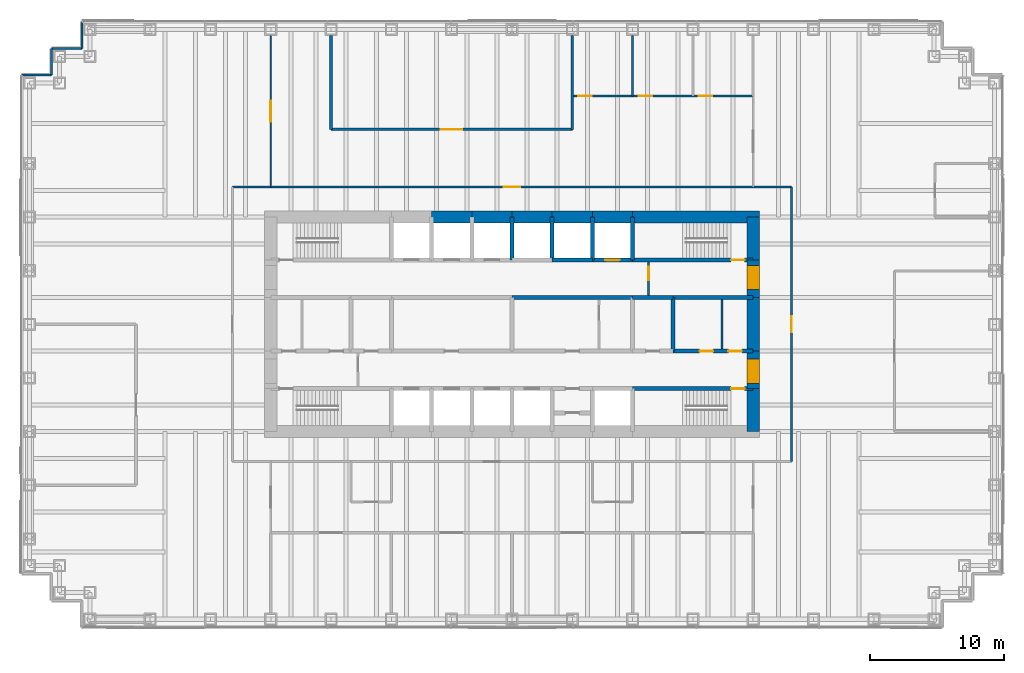
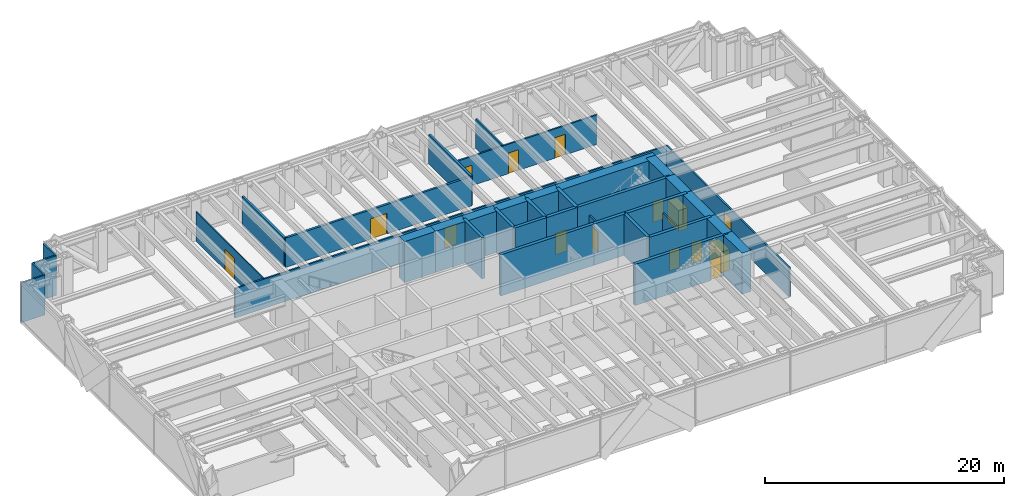
# One storey, part 13 of 15: 38 walls, 15 doors, 15 openings.
"""IFC4 building model written with IfcOpenShell, lengths in metres."""

from ifc_helpers import new_model, si_unit, direction, frame, frame_2d, origin, place, context, subcontext, project, spatial, rectangle, extrude, material, layer, layer_set, type_object, element, fill, save


model = new_model("IFC4")

# Units and contexts
model_context = context("Model", 3, precision=1e-05, world=origin(), true_north=direction((0.0, 1.0)))
body_context = subcontext(model_context, "Body", "Model", "MODEL_VIEW")
ifc_project = project(units=[si_unit("LENGTHUNIT", "METRE"), si_unit("AREAUNIT", "SQUARE_METRE"), si_unit("VOLUMEUNIT", "CUBIC_METRE"), si_unit("PLANEANGLEUNIT", "RADIAN"), si_unit("MASSUNIT", "GRAM", prefix="KILO")], contexts=[model_context])

# Site, building, storey
site_placement = place(None, origin())
site = spatial("IfcSite", under=ifc_project, at=site_placement, CompositionType="ELEMENT")
building_placement = place(site_placement, origin())
building = spatial("IfcBuilding", under=site, at=building_placement, Name="Rheinbord Bourse Tower", CompositionType="ELEMENT")
storey_placement = place(building_placement, frame((0.0, 0.0, 150.89990234375)))
storey = spatial("IfcBuildingStorey", under=building, at=storey_placement, Name="L33", CompositionType="ELEMENT", Elevation=150.89990234375)

# Wall, opening, door
ifc_material_1 = material(Name="Acoustic gypsum board partition", Category="gypsum board")
ifc_layer_1 = layer(ifc_material_1, 0.199951171875)
ifc_layer_set_1 = layer_set([ifc_layer_1], Name="ACOUSTIC PARTITION 200")
wall_type_1 = type_object("IfcWallType", Name="ACOUSTIC PARTITION 200", PredefinedType="PARTITIONING", material=ifc_layer_set_1)
wall_1_placement = place(storey_placement, frame((22.5, 38.550048828125, 0.0), z_axis=(0.0, 0.0, 1.0), x_axis=(1.0, 0.0, 0.0)))
wall_1 = element("IfcWall", 1, at=wall_1_placement, inside=storey, type_object=wall_type_1, Name="Partition L33-12", PredefinedType="PARTITIONING", context=body_context, shape_type="SweptSolid", body=[
    extrude(rectangle(XDim=18.0, YDim=0.199951171875, at=frame_2d((9.0, 0.0))), origin(), (0.0, 0.0, 1.0), 3.0),
])
opening_1_placement = place(wall_1_placement, frame((8.199951171875, 0.0, 0.0)))
opening_1 = element("IfcOpeningElement", 2, at=opening_1_placement, cuts=wall_1, Name="Opening 33D10", PredefinedType="OPENING", context=body_context, shape_type="SweptSolid", body=[
    extrude(rectangle(XDim=1.60009765625, YDim=2.10009765625, at=frame_2d((0.800048828125, 1.050048828125))), frame((0.0, 0.10986328125, 0.0), z_axis=(0.0, -1.0, 0.0), x_axis=(1.0, 0.0, 0.0)), (0.0, 0.0, 1.0), 0.219970703125),
])
ifc_material_2 = material(Name="Timber door", Category="wood")
door_type_1 = type_object("IfcDoorType", Name="DOUBLE ROOM DOOR 1600", OperationType="DOUBLE_DOOR_DOUBLE_SWING", PredefinedType="DOOR", material=ifc_material_2)
door_1_placement = place(opening_1_placement, origin())
door_1 = element("IfcDoor", 3, at=door_1_placement, inside=storey, type_object=door_type_1, Name="Trading simulation room door L33", OperationType="SINGLE_SWING_LEFT", OverallHeight=2.10009765625, OverallWidth=1.60009765625, PredefinedType="DOOR", context=body_context, shape_type="SweptSolid", body=[
    extrude(rectangle(XDim=1.60009765625, YDim=2.10009765625, at=frame_2d((0.800048828125, 1.050048828125))), frame((0.0, 0.02490234375, 0.0), z_axis=(0.0, -1.0, 0.0), x_axis=(1.0, 0.0, 0.0)), (0.0, 0.0, 1.0), 0.050048828125),
])
fill(opening_1, door_1)

# Walls
for number, where, z_axis, x_axis, name in (
    (4, (22.5, 38.550048828125, 0.0), (0.0, 0.0, 1.0), (0.0, 1.0, 0.0), "Partition L33-19"),
    (5, (40.5, 38.550048828125, 0.0), (0.0, 0.0, 1.0), (0.0, 1.0, 0.0), "Partition L33-24"),
):
    element("IfcWall", number, at=place(storey_placement, frame(where, z_axis=z_axis, x_axis=x_axis)), inside=storey, type_object=wall_type_1, Name=name, PredefinedType="PARTITIONING", context=body_context, shape_type="SweptSolid", body=[
        extrude(rectangle(XDim=7.0, YDim=0.199951171875, at=frame_2d((3.5, 0.0))), origin(), (0.0, 0.0, 1.0), 3.0),
    ])

# Wall, opening, door
ifc_material_3 = material(Name="Concrete C50/60", Category="concrete")
ifc_layer_2 = layer(ifc_material_3, 0.300048828125)
ifc_layer_set_2 = layer_set([ifc_layer_2], Name="CORE INNER WALL 300")
wall_type_2 = type_object("IfcWallType", Name="CORE INNER WALL 300", PredefinedType="SOLIDWALL", material=ifc_layer_set_2)
wall_2_placement = place(storey_placement, frame((45.0, 19.199951171875, 0.0), z_axis=(0.0, 0.0, 1.0), x_axis=(1.0, 0.0, 0.0)))
wall_2 = element("IfcWall", 6, at=wall_2_placement, inside=storey, type_object=wall_type_2, Name="Core wall A8 L33", PredefinedType="SOLIDWALL", context=body_context, shape_type="SweptSolid", body=[
    extrude(rectangle(XDim=9.0, YDim=0.300048828125, at=frame_2d((4.5, 0.0))), origin(), (0.0, 0.0, 1.0), 4.2001953125),
])
opening_2_placement = place(wall_2_placement, frame((7.35009765625, 0.0, 0.0)))
opening_2 = element("IfcOpeningElement", 7, at=opening_2_placement, cuts=wall_2, Name="Opening 3330", PredefinedType="OPENING", context=body_context, shape_type="SweptSolid", body=[
    extrude(rectangle(XDim=1.0, YDim=2.10009765625, at=frame_2d((0.5, 1.050048828125))), frame((0.0, 0.159912109375, 0.0), z_axis=(0.0, -1.0, 0.0), x_axis=(1.0, 0.0, 0.0)), (0.0, 0.0, 1.0), 0.320068359375),
])
ifc_material_4 = material(Name="Steel door", Category="steel")
door_type_2 = type_object("IfcDoorType", Name="DOOR 1000 EI30", OperationType="SINGLE_SWING_LEFT", PredefinedType="DOOR", material=ifc_material_4)
door_2_placement = place(opening_2_placement, origin())
door_2 = element("IfcDoor", 8, at=door_2_placement, inside=storey, type_object=door_type_2, Name="Stair door ST3 L33", OperationType="SINGLE_SWING_RIGHT", OverallHeight=2.10009765625, OverallWidth=1.0, PredefinedType="DOOR", context=body_context, shape_type="SweptSolid", body=[
    extrude(rectangle(XDim=1.0, YDim=2.10009765625, at=frame_2d((0.5, 1.050048828125))), frame((0.0, 0.02490234375, 0.0), z_axis=(0.0, -1.0, 0.0), x_axis=(1.0, 0.0, 0.0)), (0.0, 0.0, 1.0), 0.050048828125),
])
fill(opening_2, door_2)

# Wall
wall_3_placement = place(storey_placement, frame((39.0, 28.800048828125, 0.0), z_axis=(0.0, 0.0, 1.0), x_axis=(1.0, 0.0, 0.0)))
element("IfcWall", 9, at=wall_3_placement, inside=storey, type_object=wall_type_2, Name="Core wall B6 L33", PredefinedType="SOLIDWALL", context=body_context, shape_type="SweptSolid", body=[
    extrude(rectangle(XDim=3.0, YDim=0.300048828125, at=frame_2d((1.5, 0.0))), origin(), (0.0, 0.0, 1.0), 4.2001953125),
])

# Wall, opening, door
wall_4_placement = place(storey_placement, frame((42.0, 28.800048828125, 0.0), z_axis=(0.0, 0.0, 1.0), x_axis=(1.0, 0.0, 0.0)))
wall_4 = element("IfcWall", 10, at=wall_4_placement, inside=storey, type_object=wall_type_2, Name="Core wall B7 L33", PredefinedType="SOLIDWALL", context=body_context, shape_type="SweptSolid", body=[
    extrude(rectangle(XDim=3.0, YDim=0.300048828125, at=frame_2d((1.5, 0.0))), origin(), (0.0, 0.0, 1.0), 4.2001953125),
])
opening_3_placement = place(wall_4_placement, frame((0.949951171875, 0.0, 0.0)))
opening_3 = element("IfcOpeningElement", 11, at=opening_3_placement, cuts=wall_4, Name="Opening FL2", PredefinedType="OPENING", context=body_context, shape_type="SweptSolid", body=[
    extrude(rectangle(XDim=1.10009765625, YDim=2.199951171875, at=frame_2d((0.550048828125, 1.10009765625))), frame((0.0, 0.159912109375, 0.0), z_axis=(0.0, -1.0, 0.0), x_axis=(1.0, 0.0, 0.0)), (0.0, 0.0, 1.0), 0.320068359375),
])
ifc_material_5 = material(Name="Steel landing door", Category="steel")
door_type_3 = type_object("IfcDoorType", Name="LIFT LANDING DOOR 1100", OperationType="DOUBLE_DOOR_SLIDING", PredefinedType="USERDEFINED", material=ifc_material_5)
door_3_placement = place(opening_3_placement, origin())
door_3 = element("IfcDoor", 12, at=door_3_placement, inside=storey, type_object=door_type_3, Name="Lift landing door FL2 L33", ObjectType="LIFT LANDING DOOR", OperationType="DOUBLE_DOOR_SLIDING", OverallHeight=2.199951171875, OverallWidth=1.10009765625, PredefinedType="USERDEFINED", context=body_context, shape_type="SweptSolid", body=[
    extrude(rectangle(XDim=1.10009765625, YDim=2.199951171875, at=frame_2d((0.550048828125, 1.10009765625))), frame((0.0, 0.02490234375, 0.0), z_axis=(0.0, -1.0, 0.0), x_axis=(1.0, 0.0, 0.0)), (0.0, 0.0, 1.0), 0.050048828125),
])
fill(opening_3, door_3)

wall_5_placement = place(storey_placement, frame((45.0, 28.800048828125, 0.0), z_axis=(0.0, 0.0, 1.0), x_axis=(1.0, 0.0, 0.0)))
wall_5 = element("IfcWall", 13, at=wall_5_placement, inside=storey, type_object=wall_type_2, Name="Core wall B8 L33", PredefinedType="SOLIDWALL", context=body_context, shape_type="SweptSolid", body=[
    extrude(rectangle(XDim=9.0, YDim=0.300048828125, at=frame_2d((4.5, 0.0))), origin(), (0.0, 0.0, 1.0), 4.2001953125),
])
opening_4_placement = place(wall_5_placement, frame((7.35009765625, 0.0, 0.0)))
opening_4 = element("IfcOpeningElement", 14, at=opening_4_placement, cuts=wall_5, Name="Opening 3340", PredefinedType="OPENING", context=body_context, shape_type="SweptSolid", body=[
    extrude(rectangle(XDim=1.0, YDim=2.10009765625, at=frame_2d((0.5, 1.050048828125))), frame((0.0, 0.159912109375, 0.0), z_axis=(0.0, -1.0, 0.0), x_axis=(1.0, 0.0, 0.0)), (0.0, 0.0, 1.0), 0.320068359375),
])
door_4_placement = place(opening_4_placement, origin())
door_4 = element("IfcDoor", 15, at=door_4_placement, inside=storey, type_object=door_type_2, Name="Stair door ST4 L33", OperationType="SINGLE_SWING_RIGHT", OverallHeight=2.10009765625, OverallWidth=1.0, PredefinedType="DOOR", context=body_context, shape_type="SweptSolid", body=[
    extrude(rectangle(XDim=1.0, YDim=2.10009765625, at=frame_2d((0.5, 1.050048828125))), frame((0.0, 0.02490234375, 0.0), z_axis=(0.0, -1.0, 0.0), x_axis=(1.0, 0.0, 0.0)), (0.0, 0.0, 1.0), 0.050048828125),
])
fill(opening_4, door_4)

# Wall, openings, doors
wall_6_placement = place(storey_placement, frame((48.0, 22.0, 0.0), z_axis=(0.0, 0.0, 1.0), x_axis=(1.0, 0.0, 0.0)))
wall_6 = element("IfcWall", 16, at=wall_6_placement, inside=storey, type_object=wall_type_2, Name="Core wall C6 L33", PredefinedType="SOLIDWALL", context=body_context, shape_type="SweptSolid", body=[
    extrude(rectangle(XDim=6.0, YDim=0.300048828125, at=frame_2d((3.0, 0.0))), origin(), (0.0, 0.0, 1.0), 4.2001953125),
])
opening_5_placement = place(wall_6_placement, frame((2.0, 0.0, 0.0)))
opening_5 = element("IfcOpeningElement", 17, at=opening_5_placement, cuts=wall_6, Name="Opening 33R6", PredefinedType="OPENING", context=body_context, shape_type="SweptSolid", body=[
    extrude(rectangle(XDim=1.0, YDim=2.10009765625, at=frame_2d((0.5, 1.050048828125))), frame((0.0, 0.159912109375, 0.0), z_axis=(0.0, -1.0, 0.0), x_axis=(1.0, 0.0, 0.0)), (0.0, 0.0, 1.0), 0.320068359375),
])
opening_6_placement = place(wall_6_placement, frame((4.14990234375, 0.0, 0.0)))
opening_6 = element("IfcOpeningElement", 18, at=opening_6_placement, cuts=wall_6, Name="Opening 33R10", PredefinedType="OPENING", context=body_context, shape_type="SweptSolid", body=[
    extrude(rectangle(XDim=1.0, YDim=2.10009765625, at=frame_2d((0.5, 1.050048828125))), frame((0.0, 0.159912109375, 0.0), z_axis=(0.0, -1.0, 0.0), x_axis=(1.0, 0.0, 0.0)), (0.0, 0.0, 1.0), 0.320068359375),
])
door_5_placement = place(opening_6_placement, origin())
door_5 = element("IfcDoor", 19, at=door_5_placement, inside=storey, type_object=door_type_2, Name="Baby change door L33", OperationType="SINGLE_SWING_RIGHT", OverallHeight=2.10009765625, OverallWidth=1.0, PredefinedType="DOOR", context=body_context, shape_type="SweptSolid", body=[
    extrude(rectangle(XDim=1.0, YDim=2.10009765625, at=frame_2d((0.5, 1.050048828125))), frame((0.0, 0.02490234375, 0.0), z_axis=(0.0, -1.0, 0.0), x_axis=(1.0, 0.0, 0.0)), (0.0, 0.0, 1.0), 0.050048828125),
])
fill(opening_6, door_5)
ifc_material_6 = material(Name="Timber door", Category="wood")
door_type_4 = type_object("IfcDoorType", Name="DOOR 1000 WC", OperationType="SINGLE_SWING_LEFT", PredefinedType="DOOR", material=ifc_material_6)
door_6_placement = place(opening_5_placement, origin())
door_6 = element("IfcDoor", 20, at=door_6_placement, inside=storey, type_object=door_type_4, Name="WC women door L33", OperationType="SINGLE_SWING_LEFT", OverallHeight=2.10009765625, OverallWidth=1.0, PredefinedType="DOOR", context=body_context, shape_type="SweptSolid", body=[
    extrude(rectangle(XDim=1.0, YDim=2.10009765625, at=frame_2d((0.5, 1.050048828125))), frame((0.0, 0.02490234375, 0.0), z_axis=(0.0, -1.0, 0.0), x_axis=(1.0, 0.0, 0.0)), (0.0, 0.0, 1.0), 0.050048828125),
])
fill(opening_5, door_6)

# Walls
wall_7_placement = place(storey_placement, frame((36.0, 26.0, 0.0), z_axis=(0.0, 0.0, 1.0), x_axis=(1.0, 0.0, 0.0)))
element("IfcWall", 21, at=wall_7_placement, inside=storey, type_object=wall_type_2, Name="Core wall D4 L33", PredefinedType="SOLIDWALL", context=body_context, shape_type="SweptSolid", body=[
    extrude(rectangle(XDim=9.0, YDim=0.300048828125, at=frame_2d((4.5, 0.0))), origin(), (0.0, 0.0, 1.0), 4.2001953125),
])
wall_8_placement = place(storey_placement, frame((45.0, 26.0, 0.0), z_axis=(0.0, 0.0, 1.0), x_axis=(1.0, 0.0, 0.0)))
element("IfcWall", 22, at=wall_8_placement, inside=storey, type_object=wall_type_2, Name="Core wall D5 L33", PredefinedType="SOLIDWALL", context=body_context, shape_type="SweptSolid", body=[
    extrude(rectangle(XDim=3.0, YDim=0.300048828125, at=frame_2d((1.5, 0.0))), origin(), (0.0, 0.0, 1.0), 4.2001953125),
])
wall_9_placement = place(storey_placement, frame((48.0, 26.0, 0.0), z_axis=(0.0, 0.0, 1.0), x_axis=(1.0, 0.0, 0.0)))
element("IfcWall", 23, at=wall_9_placement, inside=storey, type_object=wall_type_2, Name="Core wall D6 L33", PredefinedType="SOLIDWALL", context=body_context, shape_type="SweptSolid", body=[
    extrude(rectangle(XDim=6.0, YDim=0.300048828125, at=frame_2d((3.0, 0.0))), origin(), (0.0, 0.0, 1.0), 4.2001953125),
])
for number, where, z_axis, x_axis, name in (
    (24, (36.0, 28.800048828125, 0.0), (0.0, 0.0, 1.0), (0.0, 1.0, 0.0), "Core wall NX36 L33"),
    (25, (39.0, 28.800048828125, 0.0), (0.0, 0.0, 1.0), (0.0, 1.0, 0.0), "Core wall NX39 L33"),
    (26, (42.0, 28.800048828125, 0.0), (0.0, 0.0, 1.0), (0.0, 1.0, 0.0), "Core wall NX42 L33"),
    (27, (45.0, 28.800048828125, 0.0), (0.0, 0.0, 1.0), (0.0, 1.0, 0.0), "Core wall NX45 L33"),
):
    element("IfcWall", number, at=place(storey_placement, frame(where, z_axis=z_axis, x_axis=x_axis)), inside=storey, type_object=wall_type_2, Name=name, PredefinedType="SOLIDWALL", context=body_context, shape_type="SweptSolid", body=[
        extrude(rectangle(XDim=3.199951171875, YDim=0.300048828125, at=frame_2d((1.60009765625, 0.0))), origin(), (0.0, 0.0, 1.0), 4.2001953125),
    ])
wall_10_placement = place(storey_placement, frame((48.0, 22.0, 0.0), z_axis=(0.0, 0.0, 1.0), x_axis=(0.0, 1.0, 0.0)))
element("IfcWall", 28, at=wall_10_placement, inside=storey, type_object=wall_type_2, Name="Core wall MX48 L33", PredefinedType="SOLIDWALL", context=body_context, shape_type="SweptSolid", body=[
    extrude(rectangle(XDim=4.0, YDim=0.300048828125, at=frame_2d((2.0, 0.0))), origin(), (0.0, 0.0, 1.0), 4.2001953125),
])
ifc_material_7 = material(Name="Gypsum board fire partition", Category="gypsum board")
ifc_layer_3 = layer(ifc_material_7, 0.14990234375)
ifc_layer_set_3 = layer_set([ifc_layer_3], Name="CORE PARTITION 150 EI30")
wall_type_3 = type_object("IfcWallType", Name="CORE PARTITION 150 EI30", PredefinedType="PARTITIONING", material=ifc_layer_set_3)
wall_11_placement = place(storey_placement, frame((51.675048828125, 22.14990234375, 0.0), z_axis=(0.0, 0.0, 1.0), x_axis=(0.0, 1.0, 0.0)))
element("IfcWall", 29, at=wall_11_placement, inside=storey, type_object=wall_type_3, Name="Core partition L33-3", PredefinedType="PARTITIONING", context=body_context, shape_type="SweptSolid", body=[
    extrude(rectangle(XDim=3.7001953125, YDim=0.14990234375, at=frame_2d((1.85009765625, 0.0))), origin(), (0.0, 0.0, 1.0), 3.0),
])

# Wall, opening, door
wall_12_placement = place(storey_placement, frame((46.199951171875, 26.14990234375, 0.0), z_axis=(0.0, 0.0, 1.0), x_axis=(0.0, 1.0, 0.0)))
wall_12 = element("IfcWall", 30, at=wall_12_placement, inside=storey, type_object=wall_type_3, Name="Core partition L33-5", PredefinedType="PARTITIONING", context=body_context, shape_type="SweptSolid", body=[
    extrude(rectangle(XDim=2.5, YDim=0.14990234375, at=frame_2d((1.25, 0.0))), origin(), (0.0, 0.0, 1.0), 3.0),
])
opening_7_placement = place(wall_12_placement, frame((1.14990234375, 0.0, 0.0)))
opening_7 = element("IfcOpeningElement", 31, at=opening_7_placement, cuts=wall_12, Name="Opening 33L6", PredefinedType="OPENING", context=body_context, shape_type="SweptSolid", body=[
    extrude(rectangle(XDim=1.0, YDim=2.10009765625, at=frame_2d((0.5, 1.050048828125))), frame((0.0, 0.0849609375, 0.0), z_axis=(0.0, -1.0, 0.0), x_axis=(1.0, 0.0, 0.0)), (0.0, 0.0, 1.0), 0.169921875),
])
door_7_placement = place(opening_7_placement, origin())
door_7 = element("IfcDoor", 32, at=door_7_placement, inside=storey, type_object=door_type_2, Name="Stair lobby door L33", OperationType="SINGLE_SWING_RIGHT", OverallHeight=2.10009765625, OverallWidth=1.0, PredefinedType="DOOR", context=body_context, shape_type="SweptSolid", body=[
    extrude(rectangle(XDim=1.0, YDim=2.10009765625, at=frame_2d((0.5, 1.050048828125))), frame((0.0, 0.02490234375, 0.0), z_axis=(0.0, -1.0, 0.0), x_axis=(1.0, 0.0, 0.0)), (0.0, 0.0, 1.0), 0.050048828125),
])
fill(opening_7, door_7)

# Walls
ifc_material_8 = material(Name="Concrete C50/60", Category="concrete")
ifc_layer_4 = layer(ifc_material_8, 0.89990234375)
ifc_layer_set_4 = layer_set([ifc_layer_4], Name="CORE WALL 900")
wall_type_4 = type_object("IfcWallType", Name="CORE WALL 900", PredefinedType="SHEAR", material=ifc_layer_set_4)
wall_13_placement = place(storey_placement, frame((54.449951171875, 32.0, 0.0), z_axis=(0.0, 0.0, 1.0), x_axis=(-1.0, 0.0, 0.0)))
element("IfcWall", 33, at=wall_13_placement, inside=storey, type_object=wall_type_4, Name="Core wall N1 L33", PredefinedType="SHEAR", context=body_context, shape_type="SweptSolid", body=[
    extrude(rectangle(XDim=9.449951171875, YDim=0.89990234375, at=frame_2d((4.72509765625, 0.0))), origin(), (0.0, 0.0, 1.0), 4.2001953125),
])
for number, where, z_axis, x_axis, name in (
    (34, (45.0, 32.0, 0.0), (0.0, 0.0, 1.0), (-1.0, 0.0, 0.0), "Core wall N2 L33"),
    (35, (42.0, 32.0, 0.0), (0.0, 0.0, 1.0), (-1.0, 0.0, 0.0), "Core wall N3 L33"),
    (36, (39.0, 32.0, 0.0), (0.0, 0.0, 1.0), (-1.0, 0.0, 0.0), "Core wall N4 L33"),
    (37, (36.0, 32.0, 0.0), (0.0, 0.0, 1.0), (-1.0, 0.0, 0.0), "Core wall N5 L33"),
    (38, (33.0, 32.0, 0.0), (0.0, 0.0, 1.0), (-1.0, 0.0, 0.0), "Core wall N6 L33"),
):
    element("IfcWall", number, at=place(storey_placement, frame(where, z_axis=z_axis, x_axis=x_axis)), inside=storey, type_object=wall_type_4, Name=name, PredefinedType="SHEAR", context=body_context, shape_type="SweptSolid", body=[
        extrude(rectangle(XDim=3.0, YDim=0.89990234375, at=frame_2d((1.5, 0.0))), origin(), (0.0, 0.0, 1.0), 4.2001953125),
    ])
wall_14_placement = place(storey_placement, frame((54.0, 16.0, 0.0), z_axis=(0.0, 0.0, 1.0), x_axis=(0.0, 1.0, 0.0)))
element("IfcWall", 39, at=wall_14_placement, inside=storey, type_object=wall_type_4, Name="Core wall E1 L33", PredefinedType="SHEAR", context=body_context, shape_type="SweptSolid", body=[
    extrude(rectangle(XDim=3.199951171875, YDim=0.89990234375, at=frame_2d((1.60009765625, 0.0))), origin(), (0.0, 0.0, 1.0), 4.2001953125),
])

# Wall, opening, door
wall_15_placement = place(storey_placement, frame((54.0, 19.199951171875, 0.0), z_axis=(0.0, 0.0, 1.0), x_axis=(0.0, 1.0, 0.0)))
wall_15 = element("IfcWall", 40, at=wall_15_placement, inside=storey, type_object=wall_type_4, Name="Core wall E2 L33", PredefinedType="SHEAR", context=body_context, shape_type="SweptSolid", body=[
    extrude(rectangle(XDim=2.800048828125, YDim=0.89990234375, at=frame_2d((1.39990234375, 0.0))), origin(), (0.0, 0.0, 1.0), 4.2001953125),
])
opening_8_placement = place(wall_15_placement, frame((0.39990234375, 0.0, 0.0)))
opening_8 = element("IfcOpeningElement", 41, at=opening_8_placement, cuts=wall_15, Name="Opening 33L3", PredefinedType="OPENING", context=body_context, shape_type="SweptSolid", body=[
    extrude(rectangle(XDim=1.800048828125, YDim=2.10009765625, at=frame_2d((0.89990234375, 1.050048828125))), frame((0.0, 0.4599609375, 0.0), z_axis=(0.0, -1.0, 0.0), x_axis=(1.0, 0.0, 0.0)), (0.0, 0.0, 1.0), 0.919921875),
])
ifc_material_9 = material(Name="Steel door", Category="steel")
door_type_5 = type_object("IfcDoorType", Name="DOOR 1800 EI30 DOUBLE", OperationType="DOUBLE_DOOR_DOUBLE_SWING", PredefinedType="DOOR", material=ifc_material_9)
door_8_placement = place(opening_8_placement, origin())
door_8 = element("IfcDoor", 42, at=door_8_placement, inside=storey, type_object=door_type_5, Name="Lobby door 3 L33", OperationType="SINGLE_SWING_LEFT", OverallHeight=2.10009765625, OverallWidth=1.800048828125, PredefinedType="DOOR", context=body_context, shape_type="SweptSolid", body=[
    extrude(rectangle(XDim=1.800048828125, YDim=2.10009765625, at=frame_2d((0.89990234375, 1.050048828125))), frame((0.0, 0.44970703125, 0.0), z_axis=(0.0, -1.0, 0.0), x_axis=(1.0, 0.0, 0.0)), (0.0, 0.0, 1.0), 0.8994140625),
])
fill(opening_8, door_8)

# Wall
wall_16_placement = place(storey_placement, frame((54.0, 22.0, 0.0), z_axis=(0.0, 0.0, 1.0), x_axis=(0.0, 1.0, 0.0)))
element("IfcWall", 43, at=wall_16_placement, inside=storey, type_object=wall_type_4, Name="Core wall E3 L33", PredefinedType="SHEAR", context=body_context, shape_type="SweptSolid", body=[
    extrude(rectangle(XDim=4.0, YDim=0.89990234375, at=frame_2d((2.0, 0.0))), origin(), (0.0, 0.0, 1.0), 4.2001953125),
])

# Wall, opening, door
wall_17_placement = place(storey_placement, frame((54.0, 26.0, 0.0), z_axis=(0.0, 0.0, 1.0), x_axis=(0.0, 1.0, 0.0)))
wall_17 = element("IfcWall", 44, at=wall_17_placement, inside=storey, type_object=wall_type_4, Name="Core wall E4 L33", PredefinedType="SHEAR", context=body_context, shape_type="SweptSolid", body=[
    extrude(rectangle(XDim=2.800048828125, YDim=0.89990234375, at=frame_2d((1.39990234375, 0.0))), origin(), (0.0, 0.0, 1.0), 4.2001953125),
])
opening_9_placement = place(wall_17_placement, frame((0.60009765625, 0.0, 0.0)))
opening_9 = element("IfcOpeningElement", 45, at=opening_9_placement, cuts=wall_17, Name="Opening 33L4", PredefinedType="OPENING", context=body_context, shape_type="SweptSolid", body=[
    extrude(rectangle(XDim=1.800048828125, YDim=2.10009765625, at=frame_2d((0.89990234375, 1.050048828125))), frame((0.0, 0.4599609375, 0.0), z_axis=(0.0, -1.0, 0.0), x_axis=(1.0, 0.0, 0.0)), (0.0, 0.0, 1.0), 0.919921875),
])
door_9_placement = place(opening_9_placement, origin())
door_9 = element("IfcDoor", 46, at=door_9_placement, inside=storey, type_object=door_type_5, Name="Lobby door 4 L33", OperationType="SINGLE_SWING_LEFT", OverallHeight=2.10009765625, OverallWidth=1.800048828125, PredefinedType="DOOR", context=body_context, shape_type="SweptSolid", body=[
    extrude(rectangle(XDim=1.800048828125, YDim=2.10009765625, at=frame_2d((0.89990234375, 1.050048828125))), frame((0.0, 0.44970703125, 0.0), z_axis=(0.0, -1.0, 0.0), x_axis=(1.0, 0.0, 0.0)), (0.0, 0.0, 1.0), 0.8994140625),
])
fill(opening_9, door_9)

# Walls
wall_18_placement = place(storey_placement, frame((54.0, 28.800048828125, 0.0), z_axis=(0.0, 0.0, 1.0), x_axis=(0.0, 1.0, 0.0)))
element("IfcWall", 47, at=wall_18_placement, inside=storey, type_object=wall_type_4, Name="Core wall E5 L33", PredefinedType="SHEAR", context=body_context, shape_type="SweptSolid", body=[
    extrude(rectangle(XDim=3.199951171875, YDim=0.89990234375, at=frame_2d((1.60009765625, 0.0))), origin(), (0.0, 0.0, 1.0), 4.2001953125),
])
ifc_material_10 = material(Name="Black metal rainscreen panel", Category="aluminium")
ifc_layer_5 = layer(ifc_material_10, 0.14990234375)
ifc_layer_set_5 = layer_set([ifc_layer_5], Name="CORNER PIER CLADDING 150")
wall_type_5 = type_object("IfcWallType", Name="CORNER PIER CLADDING 150", PredefinedType="ELEMENTEDWALL", material=ifc_layer_set_5)
wall_19_placement = place(storey_placement, frame((3.89990234375, 46.60009765625, 0.0), z_axis=(0.0, 0.0, 1.0), x_axis=(0.0, -1.0, 0.0)))
element("IfcWall", 48, at=wall_19_placement, inside=storey, type_object=wall_type_5, Name="Corner pier cladding L33 12", PredefinedType="ELEMENTEDWALL", context=body_context, shape_type="SweptSolid", body=[
    extrude(rectangle(XDim=2.0, YDim=0.14990234375, at=frame_2d((1.0, 0.0))), origin(), (0.0, 0.0, 1.0), 4.0400390625),
])
wall_20_placement = place(storey_placement, frame((3.89990234375, 44.60009765625, 0.0), z_axis=(0.0, 0.0, 1.0), x_axis=(-1.0, 0.0, 0.0)))
element("IfcWall", 49, at=wall_20_placement, inside=storey, type_object=wall_type_5, Name="Corner pier cladding L33 13", PredefinedType="ELEMENTEDWALL", context=body_context, shape_type="SweptSolid", body=[
    extrude(rectangle(XDim=2.25, YDim=0.14990234375, at=frame_2d((1.125, 0.0))), origin(), (0.0, 0.0, 1.0), 4.0400390625),
])
wall_21_placement = place(storey_placement, frame((1.64990234375, 44.60009765625, 0.0), z_axis=(0.0, 0.0, 1.0), x_axis=(0.0, -1.0, 0.0)))
element("IfcWall", 50, at=wall_21_placement, inside=storey, type_object=wall_type_5, Name="Corner pier cladding L33 14", PredefinedType="ELEMENTEDWALL", context=body_context, shape_type="SweptSolid", body=[
    extrude(rectangle(XDim=2.0, YDim=0.14990234375, at=frame_2d((1.0, 0.0))), origin(), (0.0, 0.0, 1.0), 4.0400390625),
])
wall_22_placement = place(storey_placement, frame((1.64990234375, 42.60009765625, 0.0), z_axis=(0.0, 0.0, 1.0), x_axis=(-1.0, 0.0, 0.0)))
element("IfcWall", 51, at=wall_22_placement, inside=storey, type_object=wall_type_5, Name="Corner pier cladding L33 15", PredefinedType="ELEMENTEDWALL", context=body_context, shape_type="SweptSolid", body=[
    extrude(rectangle(XDim=2.25, YDim=0.14990234375, at=frame_2d((1.125, 0.0))), origin(), (0.0, 0.0, 1.0), 4.0400390625),
])

# Wall, opening, door
ifc_material_11 = material(Name="Gypsum board corridor partition", Category="gypsum board")
ifc_layer_6 = layer(ifc_material_11, 0.14990234375)
ifc_layer_set_6 = layer_set([ifc_layer_6], Name="CORRIDOR PARTITION 150 EI30")
wall_type_6 = type_object("IfcWallType", Name="CORRIDOR PARTITION 150 EI30", PredefinedType="PARTITIONING", material=ifc_layer_set_6)
wall_23_placement = place(storey_placement, frame((15.14990234375, 34.25, 0.0), z_axis=(0.0, 0.0, 1.0), x_axis=(1.0, 0.0, 0.0)))
wall_23 = element("IfcWall", 52, at=wall_23_placement, inside=storey, type_object=wall_type_6, Name="Partition L33-10", PredefinedType="PARTITIONING", context=body_context, shape_type="SweptSolid", body=[
    extrude(rectangle(XDim=41.7001953125, YDim=0.14990234375, at=frame_2d((20.85009765625, 0.0))), origin(), (0.0, 0.0, 1.0), 3.0),
])
opening_10_placement = place(wall_23_placement, frame((20.25, 0.0, 0.0)))
opening_10 = element("IfcOpeningElement", 53, at=opening_10_placement, cuts=wall_23, Name="Opening 33D21", PredefinedType="OPENING", context=body_context, shape_type="SweptSolid", body=[
    extrude(rectangle(XDim=1.199951171875, YDim=2.10009765625, at=frame_2d((0.60009765625, 1.050048828125))), frame((0.0, 0.0849609375, 0.0), z_axis=(0.0, -1.0, 0.0), x_axis=(1.0, 0.0, 0.0)), (0.0, 0.0, 1.0), 0.169921875),
])
ifc_material_12 = material(Name="Timber fire door", Category="wood")
door_type_6 = type_object("IfcDoorType", Name="SUITE ENTRANCE DOOR 1200 EI30", OperationType="SINGLE_SWING_LEFT", PredefinedType="DOOR", material=ifc_material_12)
door_10_placement = place(opening_10_placement, origin())
door_10 = element("IfcDoor", 54, at=door_10_placement, inside=storey, type_object=door_type_6, Name="Suite entrance 4 door L33", OperationType="SINGLE_SWING_LEFT", OverallHeight=2.10009765625, OverallWidth=1.199951171875, PredefinedType="DOOR", context=body_context, shape_type="SweptSolid", body=[
    extrude(rectangle(XDim=1.199951171875, YDim=2.10009765625, at=frame_2d((0.60009765625, 1.050048828125))), frame((0.0, 0.02490234375, 0.0), z_axis=(0.0, -1.0, 0.0), x_axis=(1.0, 0.0, 0.0)), (0.0, 0.0, 1.0), 0.050048828125),
])
fill(opening_10, door_10)

wall_24_placement = place(storey_placement, frame((56.85009765625, 13.75, 0.0), z_axis=(0.0, 0.0, 1.0), x_axis=(0.0, 1.0, 0.0)))
wall_24 = element("IfcWall", 55, at=wall_24_placement, inside=storey, type_object=wall_type_6, Name="Partition L33-34", PredefinedType="PARTITIONING", context=body_context, shape_type="SweptSolid", body=[
    extrude(rectangle(XDim=20.5, YDim=0.14990234375, at=frame_2d((10.25, 0.0))), origin(), (0.0, 0.0, 1.0), 3.0),
])
opening_11_placement = place(wall_24_placement, frame((9.64990234375, 0.0, 0.0)))
opening_11 = element("IfcOpeningElement", 56, at=opening_11_placement, cuts=wall_24, Name="Opening 33D19", PredefinedType="OPENING", context=body_context, shape_type="SweptSolid", body=[
    extrude(rectangle(XDim=1.199951171875, YDim=2.10009765625, at=frame_2d((0.60009765625, 1.050048828125))), frame((0.0, 0.0849609375, 0.0), z_axis=(0.0, -1.0, 0.0), x_axis=(1.0, 0.0, 0.0)), (0.0, 0.0, 1.0), 0.169921875),
])
door_11_placement = place(opening_11_placement, origin())
door_11 = element("IfcDoor", 57, at=door_11_placement, inside=storey, type_object=door_type_6, Name="Suite entrance 2 door L33", OperationType="SINGLE_SWING_LEFT", OverallHeight=2.10009765625, OverallWidth=1.199951171875, PredefinedType="DOOR", context=body_context, shape_type="SweptSolid", body=[
    extrude(rectangle(XDim=1.199951171875, YDim=2.10009765625, at=frame_2d((0.60009765625, 1.050048828125))), frame((0.0, 0.02490234375, 0.0), z_axis=(0.0, -1.0, 0.0), x_axis=(1.0, 0.0, 0.0)), (0.0, 0.0, 1.0), 0.050048828125),
])
fill(opening_11, door_11)

ifc_material_13 = material(Name="Toughened laminated glass partition", Category="glass")
ifc_layer_7 = layer(ifc_material_13, 0.10009765625)
ifc_layer_set_7 = layer_set([ifc_layer_7], Name="GLAZED PARTITION 100")
wall_type_7 = type_object("IfcWallType", Name="GLAZED PARTITION 100", PredefinedType="PARTITIONING", material=ifc_layer_set_7)
wall_25_placement = place(storey_placement, frame((18.0, 34.25, 0.0), z_axis=(0.0, 0.0, 1.0), x_axis=(0.0, 1.0, 0.0)))
wall_25 = element("IfcWall", 58, at=wall_25_placement, inside=storey, type_object=wall_type_7, Name="Partition L33-18", PredefinedType="PARTITIONING", context=body_context, shape_type="SweptSolid", body=[
    extrude(rectangle(XDim=11.300048828125, YDim=0.10009765625, at=frame_2d((5.64990234375, 0.0))), origin(), (0.0, 0.0, 1.0), 3.0),
])
opening_12_placement = place(wall_25_placement, frame((4.85009765625, 0.0, 0.0)))
opening_12 = element("IfcOpeningElement", 59, at=opening_12_placement, cuts=wall_25, Name="Opening 33D15", PredefinedType="OPENING", context=body_context, shape_type="SweptSolid", body=[
    extrude(rectangle(XDim=1.60009765625, YDim=2.10009765625, at=frame_2d((0.800048828125, 1.050048828125))), frame((0.0, 0.06005859375, 0.0), z_axis=(0.0, -1.0, 0.0), x_axis=(1.0, 0.0, 0.0)), (0.0, 0.0, 1.0), 0.1201171875),
])
door_12_placement = place(opening_12_placement, origin())
door_12 = element("IfcDoor", 60, at=door_12_placement, inside=storey, type_object=door_type_1, Name="Open area door L33", OperationType="SINGLE_SWING_LEFT", OverallHeight=2.10009765625, OverallWidth=1.60009765625, PredefinedType="DOOR", context=body_context, shape_type="SweptSolid", body=[
    extrude(rectangle(XDim=1.60009765625, YDim=2.10009765625, at=frame_2d((0.800048828125, 1.050048828125))), frame((0.0, 0.02490234375, 0.0), z_axis=(0.0, -1.0, 0.0), x_axis=(1.0, 0.0, 0.0)), (0.0, 0.0, 1.0), 0.050048828125),
])
fill(opening_12, door_12)

# Wall, openings, doors
ifc_material_14 = material(Name="Gypsum board partition", Category="gypsum board")
ifc_layer_8 = layer(ifc_material_14, 0.14990234375)
ifc_layer_set_8 = layer_set([ifc_layer_8], Name="PARTITION 150")
wall_type_8 = type_object("IfcWallType", Name="PARTITION 150", PredefinedType="PARTITIONING", material=ifc_layer_set_8)
wall_26_placement = place(storey_placement, frame((40.5, 41.050048828125, 0.0), z_axis=(0.0, 0.0, 1.0), x_axis=(1.0, 0.0, 0.0)))
wall_26 = element("IfcWall", 61, at=wall_26_placement, inside=storey, type_object=wall_type_8, Name="Partition L33-13", PredefinedType="PARTITIONING", context=body_context, shape_type="SweptSolid", body=[
    extrude(rectangle(XDim=13.5, YDim=0.14990234375, at=frame_2d((6.75, 0.0))), origin(), (0.0, 0.0, 1.0), 3.0),
])
opening_13_placement = place(wall_26_placement, frame((0.449951171875, 0.0, 0.0)))
opening_13 = element("IfcOpeningElement", 62, at=opening_13_placement, cuts=wall_26, Name="Opening 33D11", PredefinedType="OPENING", context=body_context, shape_type="SweptSolid", body=[
    extrude(rectangle(XDim=1.0, YDim=2.10009765625, at=frame_2d((0.5, 1.050048828125))), frame((0.0, 0.0849609375, 0.0), z_axis=(0.0, -1.0, 0.0), x_axis=(1.0, 0.0, 0.0)), (0.0, 0.0, 1.0), 0.169921875),
])
opening_14_placement = place(wall_26_placement, frame((4.949951171875, 0.0, 0.0)))
opening_14 = element("IfcOpeningElement", 63, at=opening_14_placement, cuts=wall_26, Name="Opening 33D12", PredefinedType="OPENING", context=body_context, shape_type="SweptSolid", body=[
    extrude(rectangle(XDim=1.0, YDim=2.10009765625, at=frame_2d((0.5, 1.050048828125))), frame((0.0, 0.0849609375, 0.0), z_axis=(0.0, -1.0, 0.0), x_axis=(1.0, 0.0, 0.0)), (0.0, 0.0, 1.0), 0.169921875),
])
opening_15_placement = place(wall_26_placement, frame((9.449951171875, 0.0, 0.0)))
opening_15 = element("IfcOpeningElement", 64, at=opening_15_placement, cuts=wall_26, Name="Opening 33D13", PredefinedType="OPENING", context=body_context, shape_type="SweptSolid", body=[
    extrude(rectangle(XDim=1.0, YDim=2.10009765625, at=frame_2d((0.5, 1.050048828125))), frame((0.0, 0.0849609375, 0.0), z_axis=(0.0, -1.0, 0.0), x_axis=(1.0, 0.0, 0.0)), (0.0, 0.0, 1.0), 0.169921875),
])
ifc_material_15 = material(Name="Timber door", Category="wood")
door_type_7 = type_object("IfcDoorType", Name="ROOM DOOR 1000", OperationType="SINGLE_SWING_LEFT", PredefinedType="DOOR", material=ifc_material_15)
door_13_placement = place(opening_13_placement, origin())
door_13 = element("IfcDoor", 65, at=door_13_placement, inside=storey, type_object=door_type_7, Name="Office door L33", OperationType="SINGLE_SWING_LEFT", OverallHeight=2.10009765625, OverallWidth=1.0, PredefinedType="DOOR", context=body_context, shape_type="SweptSolid", body=[
    extrude(rectangle(XDim=1.0, YDim=2.10009765625, at=frame_2d((0.5, 1.050048828125))), frame((0.0, 0.02490234375, 0.0), z_axis=(0.0, -1.0, 0.0), x_axis=(1.0, 0.0, 0.0)), (0.0, 0.0, 1.0), 0.050048828125),
])
fill(opening_13, door_13)
door_14_placement = place(opening_14_placement, origin())
door_14 = element("IfcDoor", 66, at=door_14_placement, inside=storey, type_object=door_type_7, Name="Office door L33", OperationType="SINGLE_SWING_LEFT", OverallHeight=2.10009765625, OverallWidth=1.0, PredefinedType="DOOR", context=body_context, shape_type="SweptSolid", body=[
    extrude(rectangle(XDim=1.0, YDim=2.10009765625, at=frame_2d((0.5, 1.050048828125))), frame((0.0, 0.02490234375, 0.0), z_axis=(0.0, -1.0, 0.0), x_axis=(1.0, 0.0, 0.0)), (0.0, 0.0, 1.0), 0.050048828125),
])
fill(opening_14, door_14)
door_15_placement = place(opening_15_placement, origin())
door_15 = element("IfcDoor", 67, at=door_15_placement, inside=storey, type_object=door_type_7, Name="Office door L33", OperationType="SINGLE_SWING_RIGHT", OverallHeight=2.10009765625, OverallWidth=1.0, PredefinedType="DOOR", context=body_context, shape_type="SweptSolid", body=[
    extrude(rectangle(XDim=1.0, YDim=2.10009765625, at=frame_2d((0.5, 1.050048828125))), frame((0.0, 0.02490234375, 0.0), z_axis=(0.0, -1.0, 0.0), x_axis=(1.0, 0.0, 0.0)), (0.0, 0.0, 1.0), 0.050048828125),
])
fill(opening_15, door_15)

# Wall
wall_27_placement = place(storey_placement, frame((45.0, 41.050048828125, 0.0), z_axis=(0.0, 0.0, 1.0), x_axis=(0.0, 1.0, 0.0)))
element("IfcWall", 68, at=wall_27_placement, inside=storey, type_object=wall_type_8, Name="Partition L33-28", PredefinedType="PARTITIONING", context=body_context, shape_type="SweptSolid", body=[
    extrude(rectangle(XDim=4.5, YDim=0.14990234375, at=frame_2d((2.25, 0.0))), origin(), (0.0, 0.0, 1.0), 3.0),
])

save(model, "model.ifc")
